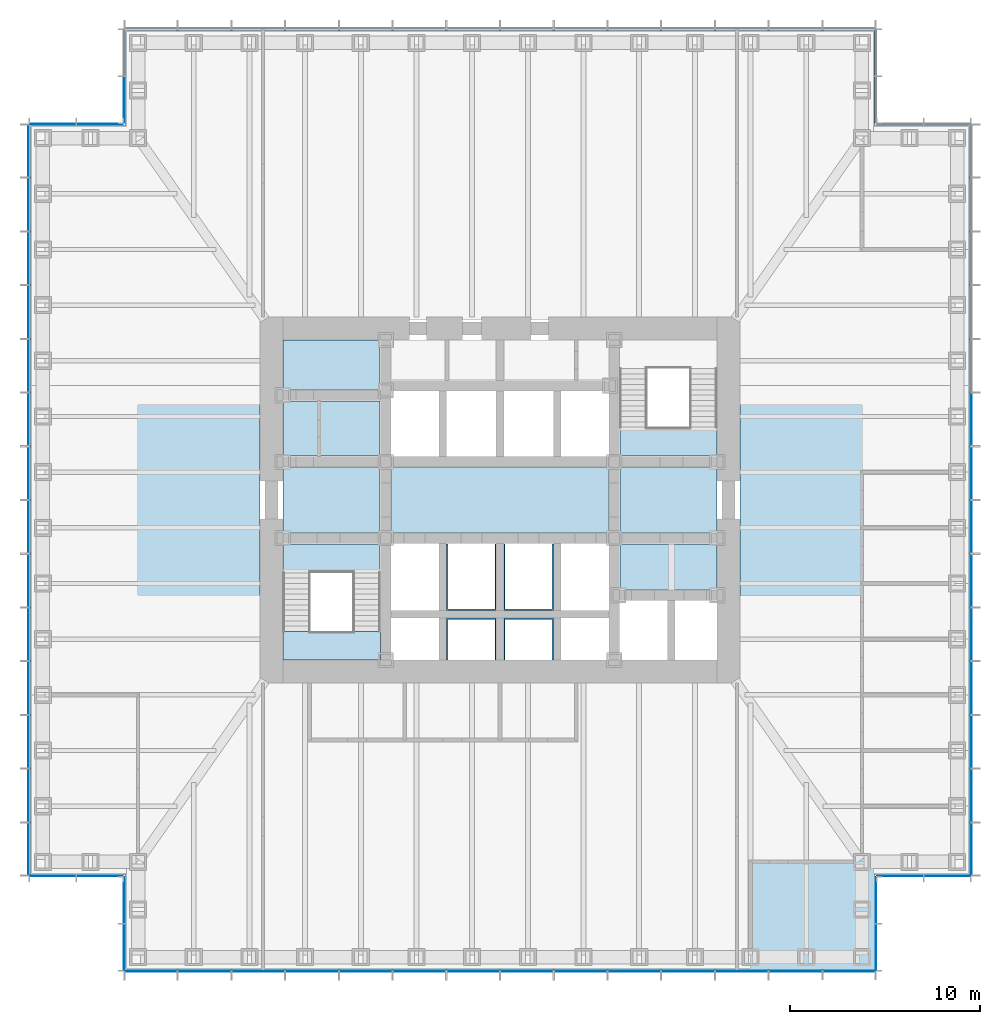
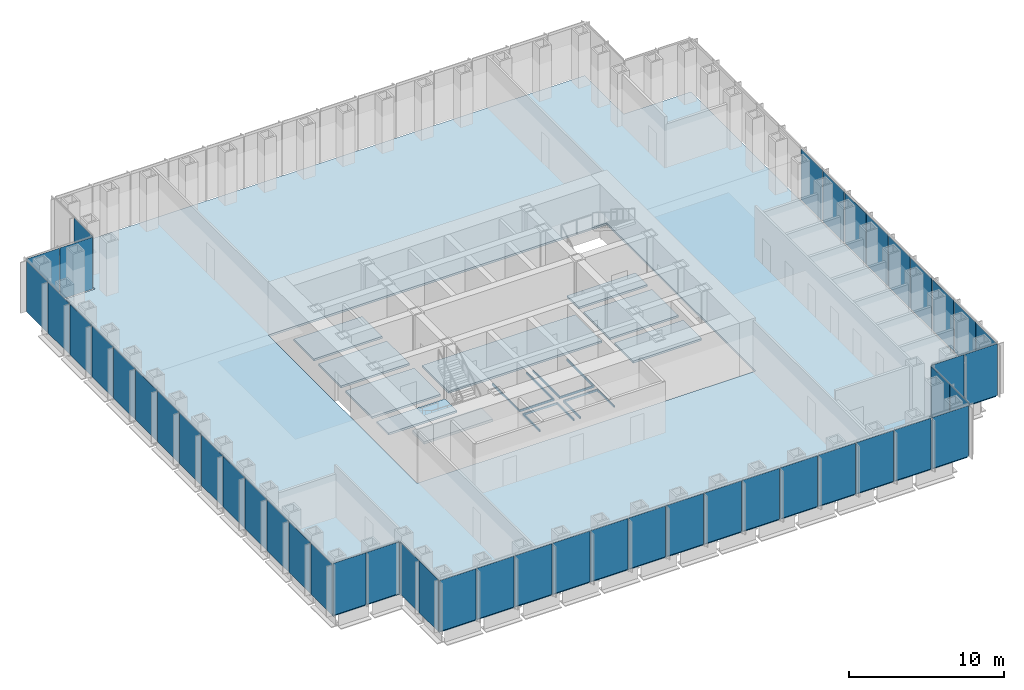
# One storey, part 7 of 16: 48 plates, 14 slabs, 10 elements without a shape of their own.
"""IFC4 building model written with IfcOpenShell, lengths in metres."""

from ifc_helpers import new_model, si_unit, direction, frame, origin, origin_2d, place, context, subcontext, project, spatial, polyline, rectangle, outline, extrude, material, layer, layer_set, type_object, element, aggregate, save


model = new_model("IFC4")

# Units and contexts
model_context = context("Model", 3, precision=1e-05, world=origin(), true_north=direction((0.0, 1.0)))
body_context = subcontext(model_context, "Body", "Model", "MODEL_VIEW")
ifc_project = project(units=[si_unit("LENGTHUNIT", "METRE"), si_unit("AREAUNIT", "SQUARE_METRE"), si_unit("VOLUMEUNIT", "CUBIC_METRE"), si_unit("PLANEANGLEUNIT", "RADIAN"), si_unit("MASSUNIT", "GRAM", prefix="KILO")], contexts=[model_context])

# Site, building, storey
site_placement = place(None, origin())
site = spatial("IfcSite", under=ifc_project, at=site_placement, CompositionType="ELEMENT")
building_placement = place(site_placement, origin())
building = spatial("IfcBuilding", under=site, at=building_placement, Name="Daluyong Arena Tower", CompositionType="ELEMENT")
storey_placement = place(building_placement, frame((0.0, 0.0, 76.89990234375)))
storey = spatial("IfcBuildingStorey", under=building, at=storey_placement, Name="L16", CompositionType="ELEMENT", Elevation=76.89990234375)

# Curtain wall, plates
ifc_material_1 = material(Name="Bronze anodised aluminium and glass", Category="aluminium")
curtain_wall_type_1 = type_object("IfcCurtainWallType", Name="Curtain wall CW1", PredefinedType="USERDEFINED", material=ifc_material_1)
curtain_wall_1_placement = place(storey_placement, origin())
curtain_wall_1 = element("IfcCurtainWall", 1, at=curtain_wall_1_placement, inside=storey, type_object=curtain_wall_type_1, Name="curtain wall L16 S", ObjectType="UNITISED CURTAIN WALL", PredefinedType="USERDEFINED")
ifc_material_2 = material(Name="Tinted double glazed unit", Category="glass")
ifc_layer_1 = layer(ifc_material_2, 0.031982421875)
ifc_layer_set_1 = layer_set([ifc_layer_1], Name="Tinted double glazed unit")
plate_type_1 = type_object("IfcPlateType", Name="CW1 panel 32", PredefinedType="CURTAIN_PANEL", material=ifc_layer_set_1)
plate_1_placement = place(storey_placement, frame((37.6806640625, 55.25, 0.0), z_axis=(0.0, 0.0, 1.0), x_axis=(1.0, 0.0, 0.0)))
plate_1 = element("IfcPlate", 2, at=plate_1_placement, type_object=plate_type_1, Name="curtain wall L16 S panel 1", PredefinedType="CURTAIN_PANEL", context=body_context, shape_type="SweptSolid", body=[
    extrude(rectangle(XDim=2.701416015625, YDim=0.031982421875, at=origin_2d()), origin(), (0.0, 0.0, 1.0), 4.0),
])
plate_2_placement = place(storey_placement, frame((40.482177734375, 55.25, 0.0), z_axis=(0.0, 0.0, 1.0), x_axis=(1.0, 0.0, 0.0)))
plate_2 = element("IfcPlate", 3, at=plate_2_placement, type_object=plate_type_1, Name="curtain wall L16 S panel 2", PredefinedType="CURTAIN_PANEL", context=body_context, shape_type="SweptSolid", body=[
    extrude(rectangle(XDim=2.741455078125, YDim=0.031982421875, at=origin_2d()), origin(), (0.0, 0.0, 1.0), 4.0),
])
plate_3_placement = place(storey_placement, frame((43.303466796875, 55.25, 0.0), z_axis=(0.0, 0.0, 1.0), x_axis=(1.0, 0.0, 0.0)))
plate_3 = element("IfcPlate", 4, at=plate_3_placement, type_object=plate_type_1, Name="curtain wall L16 S panel 3", PredefinedType="CURTAIN_PANEL", context=body_context, shape_type="SweptSolid", body=[
    extrude(rectangle(XDim=2.741455078125, YDim=0.031982421875, at=origin_2d()), origin(), (0.0, 0.0, 1.0), 4.0),
])
plate_4_placement = place(storey_placement, frame((46.125, 55.25, 0.0), z_axis=(0.0, 0.0, 1.0), x_axis=(1.0, 0.0, 0.0)))
plate_4 = element("IfcPlate", 5, at=plate_4_placement, type_object=plate_type_1, Name="curtain wall L16 S panel 4", PredefinedType="CURTAIN_PANEL", context=body_context, shape_type="SweptSolid", body=[
    extrude(rectangle(XDim=2.741455078125, YDim=0.031982421875, at=origin_2d()), origin(), (0.0, 0.0, 1.0), 4.0),
])
plate_5_placement = place(storey_placement, frame((48.946533203125, 55.25, 0.0), z_axis=(0.0, 0.0, 1.0), x_axis=(1.0, 0.0, 0.0)))
plate_5 = element("IfcPlate", 6, at=plate_5_placement, type_object=plate_type_1, Name="curtain wall L16 S panel 5", PredefinedType="CURTAIN_PANEL", context=body_context, shape_type="SweptSolid", body=[
    extrude(rectangle(XDim=2.741455078125, YDim=0.031982421875, at=origin_2d()), origin(), (0.0, 0.0, 1.0), 4.0),
])
plate_6_placement = place(storey_placement, frame((51.767822265625, 55.25, 0.0), z_axis=(0.0, 0.0, 1.0), x_axis=(1.0, 0.0, 0.0)))
plate_6 = element("IfcPlate", 7, at=plate_6_placement, type_object=plate_type_1, Name="curtain wall L16 S panel 6", PredefinedType="CURTAIN_PANEL", context=body_context, shape_type="SweptSolid", body=[
    extrude(rectangle(XDim=2.741455078125, YDim=0.031982421875, at=origin_2d()), origin(), (0.0, 0.0, 1.0), 4.0),
])
plate_7_placement = place(storey_placement, frame((54.58935546875, 55.25, 0.0), z_axis=(0.0, 0.0, 1.0), x_axis=(1.0, 0.0, 0.0)))
plate_7 = element("IfcPlate", 8, at=plate_7_placement, type_object=plate_type_1, Name="curtain wall L16 S panel 7", PredefinedType="CURTAIN_PANEL", context=body_context, shape_type="SweptSolid", body=[
    extrude(rectangle(XDim=2.741455078125, YDim=0.031982421875, at=origin_2d()), origin(), (0.0, 0.0, 1.0), 4.0),
])
plate_8_placement = place(storey_placement, frame((57.41064453125, 55.25, 0.0), z_axis=(0.0, 0.0, 1.0), x_axis=(1.0, 0.0, 0.0)))
plate_8 = element("IfcPlate", 9, at=plate_8_placement, type_object=plate_type_1, Name="curtain wall L16 S panel 8", PredefinedType="CURTAIN_PANEL", context=body_context, shape_type="SweptSolid", body=[
    extrude(rectangle(XDim=2.741455078125, YDim=0.031982421875, at=origin_2d()), origin(), (0.0, 0.0, 1.0), 4.0),
])
plate_9_placement = place(storey_placement, frame((60.232177734375, 55.25, 0.0), z_axis=(0.0, 0.0, 1.0), x_axis=(1.0, 0.0, 0.0)))
plate_9 = element("IfcPlate", 10, at=plate_9_placement, type_object=plate_type_1, Name="curtain wall L16 S panel 9", PredefinedType="CURTAIN_PANEL", context=body_context, shape_type="SweptSolid", body=[
    extrude(rectangle(XDim=2.741455078125, YDim=0.031982421875, at=origin_2d()), origin(), (0.0, 0.0, 1.0), 4.0),
])
plate_10_placement = place(storey_placement, frame((63.053466796875, 55.25, 0.0), z_axis=(0.0, 0.0, 1.0), x_axis=(1.0, 0.0, 0.0)))
plate_10 = element("IfcPlate", 11, at=plate_10_placement, type_object=plate_type_1, Name="curtain wall L16 S panel 10", PredefinedType="CURTAIN_PANEL", context=body_context, shape_type="SweptSolid", body=[
    extrude(rectangle(XDim=2.741455078125, YDim=0.031982421875, at=origin_2d()), origin(), (0.0, 0.0, 1.0), 4.0),
])
plate_11_placement = place(storey_placement, frame((65.875, 55.25, 0.0), z_axis=(0.0, 0.0, 1.0), x_axis=(1.0, 0.0, 0.0)))
plate_11 = element("IfcPlate", 12, at=plate_11_placement, type_object=plate_type_1, Name="curtain wall L16 S panel 11", PredefinedType="CURTAIN_PANEL", context=body_context, shape_type="SweptSolid", body=[
    extrude(rectangle(XDim=2.741455078125, YDim=0.031982421875, at=origin_2d()), origin(), (0.0, 0.0, 1.0), 4.0),
])
plate_12_placement = place(storey_placement, frame((68.696533203125, 55.25, 0.0), z_axis=(0.0, 0.0, 1.0), x_axis=(1.0, 0.0, 0.0)))
plate_12 = element("IfcPlate", 13, at=plate_12_placement, type_object=plate_type_1, Name="curtain wall L16 S panel 12", PredefinedType="CURTAIN_PANEL", context=body_context, shape_type="SweptSolid", body=[
    extrude(rectangle(XDim=2.741455078125, YDim=0.031982421875, at=origin_2d()), origin(), (0.0, 0.0, 1.0), 4.0),
])
plate_13_placement = place(storey_placement, frame((71.517822265625, 55.25, 0.0), z_axis=(0.0, 0.0, 1.0), x_axis=(1.0, 0.0, 0.0)))
plate_13 = element("IfcPlate", 14, at=plate_13_placement, type_object=plate_type_1, Name="curtain wall L16 S panel 13", PredefinedType="CURTAIN_PANEL", context=body_context, shape_type="SweptSolid", body=[
    extrude(rectangle(XDim=2.741455078125, YDim=0.031982421875, at=origin_2d()), origin(), (0.0, 0.0, 1.0), 4.0),
])
plate_14_placement = place(storey_placement, frame((74.3193359375, 55.25, 0.0), z_axis=(0.0, 0.0, 1.0), x_axis=(1.0, 0.0, 0.0)))
plate_14 = element("IfcPlate", 15, at=plate_14_placement, type_object=plate_type_1, Name="curtain wall L16 S panel 14", PredefinedType="CURTAIN_PANEL", context=body_context, shape_type="SweptSolid", body=[
    extrude(rectangle(XDim=2.701416015625, YDim=0.031982421875, at=origin_2d()), origin(), (0.0, 0.0, 1.0), 4.0),
])
aggregate(curtain_wall_1, [plate_1, plate_2, plate_3, plate_4, plate_5, plate_6, plate_7, plate_8, plate_9, plate_10, plate_11, plate_12, plate_13, plate_14])

curtain_wall_2_placement = place(storey_placement, origin())
curtain_wall_2 = element("IfcCurtainWall", 16, at=curtain_wall_2_placement, inside=storey, type_object=curtain_wall_type_1, Name="curtain wall L16 E", ObjectType="UNITISED CURTAIN WALL", PredefinedType="USERDEFINED")
plate_15_placement = place(storey_placement, frame((80.75, 61.6806640625, 0.0), z_axis=(0.0, 0.0, 1.0), x_axis=(0.0, 1.0, 0.0)))
plate_15 = element("IfcPlate", 17, at=plate_15_placement, type_object=plate_type_1, Name="curtain wall L16 E panel 1", PredefinedType="CURTAIN_PANEL", context=body_context, shape_type="SweptSolid", body=[
    extrude(rectangle(XDim=2.701416015625, YDim=0.031982421875, at=origin_2d()), origin(), (0.0, 0.0, 1.0), 4.0),
])
plate_16_placement = place(storey_placement, frame((80.75, 64.482177734375, 0.0), z_axis=(0.0, 0.0, 1.0), x_axis=(0.0, 1.0, 0.0)))
plate_16 = element("IfcPlate", 18, at=plate_16_placement, type_object=plate_type_1, Name="curtain wall L16 E panel 2", PredefinedType="CURTAIN_PANEL", context=body_context, shape_type="SweptSolid", body=[
    extrude(rectangle(XDim=2.741455078125, YDim=0.031982421875, at=origin_2d()), origin(), (0.0, 0.0, 1.0), 4.0),
])
plate_17_placement = place(storey_placement, frame((80.75, 67.303466796875, 0.0), z_axis=(0.0, 0.0, 1.0), x_axis=(0.0, 1.0, 0.0)))
plate_17 = element("IfcPlate", 19, at=plate_17_placement, type_object=plate_type_1, Name="curtain wall L16 E panel 3", PredefinedType="CURTAIN_PANEL", context=body_context, shape_type="SweptSolid", body=[
    extrude(rectangle(XDim=2.741455078125, YDim=0.031982421875, at=origin_2d()), origin(), (0.0, 0.0, 1.0), 4.0),
])
plate_18_placement = place(storey_placement, frame((80.75, 70.125, 0.0), z_axis=(0.0, 0.0, 1.0), x_axis=(0.0, 1.0, 0.0)))
plate_18 = element("IfcPlate", 20, at=plate_18_placement, type_object=plate_type_1, Name="curtain wall L16 E panel 4", PredefinedType="CURTAIN_PANEL", context=body_context, shape_type="SweptSolid", body=[
    extrude(rectangle(XDim=2.741455078125, YDim=0.031982421875, at=origin_2d()), origin(), (0.0, 0.0, 1.0), 4.0),
])
plate_19_placement = place(storey_placement, frame((80.75, 72.946533203125, 0.0), z_axis=(0.0, 0.0, 1.0), x_axis=(0.0, 1.0, 0.0)))
plate_19 = element("IfcPlate", 21, at=plate_19_placement, type_object=plate_type_1, Name="curtain wall L16 E panel 5", PredefinedType="CURTAIN_PANEL", context=body_context, shape_type="SweptSolid", body=[
    extrude(rectangle(XDim=2.741455078125, YDim=0.031982421875, at=origin_2d()), origin(), (0.0, 0.0, 1.0), 4.0),
])
plate_20_placement = place(storey_placement, frame((80.75, 75.767822265625, 0.0), z_axis=(0.0, 0.0, 1.0), x_axis=(0.0, 1.0, 0.0)))
plate_20 = element("IfcPlate", 22, at=plate_20_placement, type_object=plate_type_1, Name="curtain wall L16 E panel 6", PredefinedType="CURTAIN_PANEL", context=body_context, shape_type="SweptSolid", body=[
    extrude(rectangle(XDim=2.741455078125, YDim=0.031982421875, at=origin_2d()), origin(), (0.0, 0.0, 1.0), 4.0),
])
plate_21_placement = place(storey_placement, frame((80.75, 78.58935546875, 0.0), z_axis=(0.0, 0.0, 1.0), x_axis=(0.0, 1.0, 0.0)))
plate_21 = element("IfcPlate", 23, at=plate_21_placement, type_object=plate_type_1, Name="curtain wall L16 E panel 7", PredefinedType="CURTAIN_PANEL", context=body_context, shape_type="SweptSolid", body=[
    extrude(rectangle(XDim=2.741455078125, YDim=0.031982421875, at=origin_2d()), origin(), (0.0, 0.0, 1.0), 4.0),
])
plate_22_placement = place(storey_placement, frame((80.75, 81.41064453125, 0.0), z_axis=(0.0, 0.0, 1.0), x_axis=(0.0, 1.0, 0.0)))
plate_22 = element("IfcPlate", 24, at=plate_22_placement, type_object=plate_type_1, Name="curtain wall L16 E panel 8", PredefinedType="CURTAIN_PANEL", context=body_context, shape_type="SweptSolid", body=[
    extrude(rectangle(XDim=2.741455078125, YDim=0.031982421875, at=origin_2d()), origin(), (0.0, 0.0, 1.0), 4.0),
])
plate_23_placement = place(storey_placement, frame((80.75, 84.232177734375, 0.0), z_axis=(0.0, 0.0, 1.0), x_axis=(0.0, 1.0, 0.0)))
plate_23 = element("IfcPlate", 25, at=plate_23_placement, type_object=plate_type_1, Name="curtain wall L16 E panel 9", PredefinedType="CURTAIN_PANEL", context=body_context, shape_type="SweptSolid", body=[
    extrude(rectangle(XDim=2.741455078125, YDim=0.031982421875, at=origin_2d()), origin(), (0.0, 0.0, 1.0), 4.0),
])
aggregate(curtain_wall_2, [plate_15, plate_16, plate_17, plate_18, plate_19, plate_20, plate_21, plate_22, plate_23])

curtain_wall_3_placement = place(storey_placement, origin())
curtain_wall_3 = element("IfcCurtainWall", 26, at=curtain_wall_3_placement, inside=storey, type_object=curtain_wall_type_1, Name="curtain wall L16 W", ObjectType="UNITISED CURTAIN WALL", PredefinedType="USERDEFINED")
plate_24_placement = place(storey_placement, frame((31.25, 98.3193359375, 0.0), z_axis=(0.0, 0.0, 1.0), x_axis=(0.0, -1.0, 0.0)))
plate_24 = element("IfcPlate", 27, at=plate_24_placement, type_object=plate_type_1, Name="curtain wall L16 W panel 1", PredefinedType="CURTAIN_PANEL", context=body_context, shape_type="SweptSolid", body=[
    extrude(rectangle(XDim=2.701416015625, YDim=0.031982421875, at=origin_2d()), origin(), (0.0, 0.0, 1.0), 4.0),
])
plate_25_placement = place(storey_placement, frame((31.25, 95.517822265625, 0.0), z_axis=(0.0, 0.0, 1.0), x_axis=(0.0, -1.0, 0.0)))
plate_25 = element("IfcPlate", 28, at=plate_25_placement, type_object=plate_type_1, Name="curtain wall L16 W panel 2", PredefinedType="CURTAIN_PANEL", context=body_context, shape_type="SweptSolid", body=[
    extrude(rectangle(XDim=2.741455078125, YDim=0.031982421875, at=origin_2d()), origin(), (0.0, 0.0, 1.0), 4.0),
])
plate_26_placement = place(storey_placement, frame((31.25, 92.696533203125, 0.0), z_axis=(0.0, 0.0, 1.0), x_axis=(0.0, -1.0, 0.0)))
plate_26 = element("IfcPlate", 29, at=plate_26_placement, type_object=plate_type_1, Name="curtain wall L16 W panel 3", PredefinedType="CURTAIN_PANEL", context=body_context, shape_type="SweptSolid", body=[
    extrude(rectangle(XDim=2.741455078125, YDim=0.031982421875, at=origin_2d()), origin(), (0.0, 0.0, 1.0), 4.0),
])
plate_27_placement = place(storey_placement, frame((31.25, 89.875, 0.0), z_axis=(0.0, 0.0, 1.0), x_axis=(0.0, -1.0, 0.0)))
plate_27 = element("IfcPlate", 30, at=plate_27_placement, type_object=plate_type_1, Name="curtain wall L16 W panel 4", PredefinedType="CURTAIN_PANEL", context=body_context, shape_type="SweptSolid", body=[
    extrude(rectangle(XDim=2.741455078125, YDim=0.031982421875, at=origin_2d()), origin(), (0.0, 0.0, 1.0), 4.0),
])
plate_28_placement = place(storey_placement, frame((31.25, 87.053466796875, 0.0), z_axis=(0.0, 0.0, 1.0), x_axis=(0.0, -1.0, 0.0)))
plate_28 = element("IfcPlate", 31, at=plate_28_placement, type_object=plate_type_1, Name="curtain wall L16 W panel 5", PredefinedType="CURTAIN_PANEL", context=body_context, shape_type="SweptSolid", body=[
    extrude(rectangle(XDim=2.741455078125, YDim=0.031982421875, at=origin_2d()), origin(), (0.0, 0.0, 1.0), 4.0),
])
plate_29_placement = place(storey_placement, frame((31.25, 84.232177734375, 0.0), z_axis=(0.0, 0.0, 1.0), x_axis=(0.0, -1.0, 0.0)))
plate_29 = element("IfcPlate", 32, at=plate_29_placement, type_object=plate_type_1, Name="curtain wall L16 W panel 6", PredefinedType="CURTAIN_PANEL", context=body_context, shape_type="SweptSolid", body=[
    extrude(rectangle(XDim=2.741455078125, YDim=0.031982421875, at=origin_2d()), origin(), (0.0, 0.0, 1.0), 4.0),
])
plate_30_placement = place(storey_placement, frame((31.25, 81.41064453125, 0.0), z_axis=(0.0, 0.0, 1.0), x_axis=(0.0, -1.0, 0.0)))
plate_30 = element("IfcPlate", 33, at=plate_30_placement, type_object=plate_type_1, Name="curtain wall L16 W panel 7", PredefinedType="CURTAIN_PANEL", context=body_context, shape_type="SweptSolid", body=[
    extrude(rectangle(XDim=2.741455078125, YDim=0.031982421875, at=origin_2d()), origin(), (0.0, 0.0, 1.0), 4.0),
])
plate_31_placement = place(storey_placement, frame((31.25, 78.58935546875, 0.0), z_axis=(0.0, 0.0, 1.0), x_axis=(0.0, -1.0, 0.0)))
plate_31 = element("IfcPlate", 34, at=plate_31_placement, type_object=plate_type_1, Name="curtain wall L16 W panel 8", PredefinedType="CURTAIN_PANEL", context=body_context, shape_type="SweptSolid", body=[
    extrude(rectangle(XDim=2.741455078125, YDim=0.031982421875, at=origin_2d()), origin(), (0.0, 0.0, 1.0), 4.0),
])
plate_32_placement = place(storey_placement, frame((31.25, 75.767822265625, 0.0), z_axis=(0.0, 0.0, 1.0), x_axis=(0.0, -1.0, 0.0)))
plate_32 = element("IfcPlate", 35, at=plate_32_placement, type_object=plate_type_1, Name="curtain wall L16 W panel 9", PredefinedType="CURTAIN_PANEL", context=body_context, shape_type="SweptSolid", body=[
    extrude(rectangle(XDim=2.741455078125, YDim=0.031982421875, at=origin_2d()), origin(), (0.0, 0.0, 1.0), 4.0),
])
plate_33_placement = place(storey_placement, frame((31.25, 72.946533203125, 0.0), z_axis=(0.0, 0.0, 1.0), x_axis=(0.0, -1.0, 0.0)))
plate_33 = element("IfcPlate", 36, at=plate_33_placement, type_object=plate_type_1, Name="curtain wall L16 W panel 10", PredefinedType="CURTAIN_PANEL", context=body_context, shape_type="SweptSolid", body=[
    extrude(rectangle(XDim=2.741455078125, YDim=0.031982421875, at=origin_2d()), origin(), (0.0, 0.0, 1.0), 4.0),
])
plate_34_placement = place(storey_placement, frame((31.25, 70.125, 0.0), z_axis=(0.0, 0.0, 1.0), x_axis=(0.0, -1.0, 0.0)))
plate_34 = element("IfcPlate", 37, at=plate_34_placement, type_object=plate_type_1, Name="curtain wall L16 W panel 11", PredefinedType="CURTAIN_PANEL", context=body_context, shape_type="SweptSolid", body=[
    extrude(rectangle(XDim=2.741455078125, YDim=0.031982421875, at=origin_2d()), origin(), (0.0, 0.0, 1.0), 4.0),
])
plate_35_placement = place(storey_placement, frame((31.25, 67.303466796875, 0.0), z_axis=(0.0, 0.0, 1.0), x_axis=(0.0, -1.0, 0.0)))
plate_35 = element("IfcPlate", 38, at=plate_35_placement, type_object=plate_type_1, Name="curtain wall L16 W panel 12", PredefinedType="CURTAIN_PANEL", context=body_context, shape_type="SweptSolid", body=[
    extrude(rectangle(XDim=2.741455078125, YDim=0.031982421875, at=origin_2d()), origin(), (0.0, 0.0, 1.0), 4.0),
])
plate_36_placement = place(storey_placement, frame((31.25, 64.482177734375, 0.0), z_axis=(0.0, 0.0, 1.0), x_axis=(0.0, -1.0, 0.0)))
plate_36 = element("IfcPlate", 39, at=plate_36_placement, type_object=plate_type_1, Name="curtain wall L16 W panel 13", PredefinedType="CURTAIN_PANEL", context=body_context, shape_type="SweptSolid", body=[
    extrude(rectangle(XDim=2.741455078125, YDim=0.031982421875, at=origin_2d()), origin(), (0.0, 0.0, 1.0), 4.0),
])
plate_37_placement = place(storey_placement, frame((31.25, 61.6806640625, 0.0), z_axis=(0.0, 0.0, 1.0), x_axis=(0.0, -1.0, 0.0)))
plate_37 = element("IfcPlate", 40, at=plate_37_placement, type_object=plate_type_1, Name="curtain wall L16 W panel 14", PredefinedType="CURTAIN_PANEL", context=body_context, shape_type="SweptSolid", body=[
    extrude(rectangle(XDim=2.701416015625, YDim=0.031982421875, at=origin_2d()), origin(), (0.0, 0.0, 1.0), 4.0),
])
aggregate(curtain_wall_3, [plate_24, plate_25, plate_26, plate_27, plate_28, plate_29, plate_30, plate_31, plate_32, plate_33, plate_34, plate_35, plate_36, plate_37])

ifc_material_3 = material(Name="Bronze anodised aluminium and glass", Category="aluminium")
curtain_wall_type_2 = type_object("IfcCurtainWallType", Name="Curtain wall CW7", PredefinedType="USERDEFINED", material=ifc_material_3)
curtain_wall_4_placement = place(storey_placement, origin())
curtain_wall_4 = element("IfcCurtainWall", 41, at=curtain_wall_4_placement, inside=storey, type_object=curtain_wall_type_2, Name="curtain wall L16 SE-E", ObjectType="UNITISED CURTAIN WALL", PredefinedType="USERDEFINED")
ifc_material_4 = material(Name="Tinted double glazed unit", Category="glass")
ifc_layer_2 = layer(ifc_material_4, 0.028076171875)
ifc_layer_set_2 = layer_set([ifc_layer_2], Name="Tinted double glazed unit")
plate_type_2 = type_object("IfcPlateType", Name="CW7 panel 28", PredefinedType="CURTAIN_PANEL", material=ifc_layer_set_2)
plate_38_placement = place(storey_placement, frame((75.75, 56.514892578125, 0.0), z_axis=(0.0, 0.0, 1.0), x_axis=(0.0, 1.0, 0.0)))
plate_38 = element("IfcPlate", 42, at=plate_38_placement, type_object=plate_type_2, Name="curtain wall L16 SE-E panel 1", PredefinedType="CURTAIN_PANEL", context=body_context, shape_type="SweptSolid", body=[
    extrude(rectangle(XDim=2.409912109375, YDim=0.028076171875, at=origin_2d()), origin(), (0.0, 0.0, 1.0), 4.080078125),
])
plate_39_placement = place(storey_placement, frame((75.75, 58.985107421875, 0.0), z_axis=(0.0, 0.0, 1.0), x_axis=(0.0, 1.0, 0.0)))
plate_39 = element("IfcPlate", 43, at=plate_39_placement, type_object=plate_type_2, Name="curtain wall L16 SE-E panel 2", PredefinedType="CURTAIN_PANEL", context=body_context, shape_type="SweptSolid", body=[
    extrude(rectangle(XDim=2.409912109375, YDim=0.028076171875, at=origin_2d()), origin(), (0.0, 0.0, 1.0), 4.080078125),
])
aggregate(curtain_wall_4, [plate_38, plate_39])

curtain_wall_5_placement = place(storey_placement, origin())
curtain_wall_5 = element("IfcCurtainWall", 44, at=curtain_wall_5_placement, inside=storey, type_object=curtain_wall_type_2, Name="curtain wall L16 SE-S", ObjectType="UNITISED CURTAIN WALL", PredefinedType="USERDEFINED")
plate_40_placement = place(storey_placement, frame((77.014892578125, 60.25, 0.0), z_axis=(0.0, 0.0, 1.0), x_axis=(1.0, 0.0, 0.0)))
plate_40 = element("IfcPlate", 45, at=plate_40_placement, type_object=plate_type_2, Name="curtain wall L16 SE-S panel 1", PredefinedType="CURTAIN_PANEL", context=body_context, shape_type="SweptSolid", body=[
    extrude(rectangle(XDim=2.409912109375, YDim=0.028076171875, at=origin_2d()), origin(), (0.0, 0.0, 1.0), 4.080078125),
])
plate_41_placement = place(storey_placement, frame((79.485107421875, 60.25, 0.0), z_axis=(0.0, 0.0, 1.0), x_axis=(1.0, 0.0, 0.0)))
plate_41 = element("IfcPlate", 46, at=plate_41_placement, type_object=plate_type_2, Name="curtain wall L16 SE-S panel 2", PredefinedType="CURTAIN_PANEL", context=body_context, shape_type="SweptSolid", body=[
    extrude(rectangle(XDim=2.409912109375, YDim=0.028076171875, at=origin_2d()), origin(), (0.0, 0.0, 1.0), 4.080078125),
])
aggregate(curtain_wall_5, [plate_40, plate_41])

# Curtain wall, plate
curtain_wall_6_placement = place(storey_placement, origin())
curtain_wall_6 = element("IfcCurtainWall", 47, at=curtain_wall_6_placement, inside=storey, type_object=curtain_wall_type_2, Name="curtain wall L16 NW-W", ObjectType="UNITISED CURTAIN WALL", PredefinedType="USERDEFINED")
plate_42_placement = place(storey_placement, frame((36.25, 101.014892578125, 0.0), z_axis=(0.0, 0.0, 1.0), x_axis=(0.0, -1.0, 0.0)))
plate_42 = element("IfcPlate", 48, at=plate_42_placement, type_object=plate_type_2, Name="curtain wall L16 NW-W panel 2", PredefinedType="CURTAIN_PANEL", context=body_context, shape_type="SweptSolid", body=[
    extrude(rectangle(XDim=2.409912109375, YDim=0.028076171875, at=origin_2d()), origin(), (0.0, 0.0, 1.0), 4.080078125),
])
aggregate(curtain_wall_6, [plate_42])

# Curtain wall, plates
curtain_wall_7_placement = place(storey_placement, origin())
curtain_wall_7 = element("IfcCurtainWall", 49, at=curtain_wall_7_placement, inside=storey, type_object=curtain_wall_type_2, Name="curtain wall L16 NW-N", ObjectType="UNITISED CURTAIN WALL", PredefinedType="USERDEFINED")
plate_43_placement = place(storey_placement, frame((34.985107421875, 99.75, 0.0), z_axis=(0.0, 0.0, 1.0), x_axis=(-1.0, 0.0, 0.0)))
plate_43 = element("IfcPlate", 50, at=plate_43_placement, type_object=plate_type_2, Name="curtain wall L16 NW-N panel 1", PredefinedType="CURTAIN_PANEL", context=body_context, shape_type="SweptSolid", body=[
    extrude(rectangle(XDim=2.409912109375, YDim=0.028076171875, at=origin_2d()), origin(), (0.0, 0.0, 1.0), 4.080078125),
])
plate_44_placement = place(storey_placement, frame((32.514892578125, 99.75, 0.0), z_axis=(0.0, 0.0, 1.0), x_axis=(-1.0, 0.0, 0.0)))
plate_44 = element("IfcPlate", 51, at=plate_44_placement, type_object=plate_type_2, Name="curtain wall L16 NW-N panel 2", PredefinedType="CURTAIN_PANEL", context=body_context, shape_type="SweptSolid", body=[
    extrude(rectangle(XDim=2.409912109375, YDim=0.028076171875, at=origin_2d()), origin(), (0.0, 0.0, 1.0), 4.080078125),
])
aggregate(curtain_wall_7, [plate_43, plate_44])

curtain_wall_8_placement = place(storey_placement, origin())
curtain_wall_8 = element("IfcCurtainWall", 52, at=curtain_wall_8_placement, inside=storey, type_object=curtain_wall_type_2, Name="curtain wall L16 SW-S", ObjectType="UNITISED CURTAIN WALL", PredefinedType="USERDEFINED")
plate_45_placement = place(storey_placement, frame((32.514892578125, 60.25, 0.0), z_axis=(0.0, 0.0, 1.0), x_axis=(1.0, 0.0, 0.0)))
plate_45 = element("IfcPlate", 53, at=plate_45_placement, type_object=plate_type_2, Name="curtain wall L16 SW-S panel 1", PredefinedType="CURTAIN_PANEL", context=body_context, shape_type="SweptSolid", body=[
    extrude(rectangle(XDim=2.409912109375, YDim=0.028076171875, at=origin_2d()), origin(), (0.0, 0.0, 1.0), 4.080078125),
])
plate_46_placement = place(storey_placement, frame((34.985107421875, 60.25, 0.0), z_axis=(0.0, 0.0, 1.0), x_axis=(1.0, 0.0, 0.0)))
plate_46 = element("IfcPlate", 54, at=plate_46_placement, type_object=plate_type_2, Name="curtain wall L16 SW-S panel 2", PredefinedType="CURTAIN_PANEL", context=body_context, shape_type="SweptSolid", body=[
    extrude(rectangle(XDim=2.409912109375, YDim=0.028076171875, at=origin_2d()), origin(), (0.0, 0.0, 1.0), 4.080078125),
])
aggregate(curtain_wall_8, [plate_45, plate_46])

curtain_wall_9_placement = place(storey_placement, origin())
curtain_wall_9 = element("IfcCurtainWall", 55, at=curtain_wall_9_placement, inside=storey, type_object=curtain_wall_type_2, Name="curtain wall L16 SW-W", ObjectType="UNITISED CURTAIN WALL", PredefinedType="USERDEFINED")
plate_47_placement = place(storey_placement, frame((36.25, 58.985107421875, 0.0), z_axis=(0.0, 0.0, 1.0), x_axis=(0.0, -1.0, 0.0)))
plate_47 = element("IfcPlate", 56, at=plate_47_placement, type_object=plate_type_2, Name="curtain wall L16 SW-W panel 1", PredefinedType="CURTAIN_PANEL", context=body_context, shape_type="SweptSolid", body=[
    extrude(rectangle(XDim=2.409912109375, YDim=0.028076171875, at=origin_2d()), origin(), (0.0, 0.0, 1.0), 4.080078125),
])
plate_48_placement = place(storey_placement, frame((36.25, 56.514892578125, 0.0), z_axis=(0.0, 0.0, 1.0), x_axis=(0.0, -1.0, 0.0)))
plate_48 = element("IfcPlate", 57, at=plate_48_placement, type_object=plate_type_2, Name="curtain wall L16 SW-W panel 2", PredefinedType="CURTAIN_PANEL", context=body_context, shape_type="SweptSolid", body=[
    extrude(rectangle(XDim=2.409912109375, YDim=0.028076171875, at=origin_2d()), origin(), (0.0, 0.0, 1.0), 4.080078125),
])
aggregate(curtain_wall_9, [plate_47, plate_48])

# Stair, slab
ifc_material_5 = material(Name="Concrete fc' 35 MPa", Category="concrete")
stair_type = type_object("IfcStairType", Name="Core exit stair", PredefinedType="HALF_TURN_STAIR", material=ifc_material_5)
stair_placement = place(storey_placement, origin())
stair = element("IfcStair", 58, at=stair_placement, inside=storey, type_object=stair_type, Name="exit stair A L16", PredefinedType="HALF_TURN_STAIR")
ifc_material_6 = material(Name="Concrete fc' 35 MPa", Category="concrete")
ifc_layer_3 = layer(ifc_material_6, 0.199951171875)
ifc_layer_set_3 = layer_set([ifc_layer_3], Name="Concrete fc' 35 MPa")
slab_type_1 = type_object("IfcSlabType", Name="Stair landing 200", PredefinedType="LANDING", material=ifc_layer_set_3)
slab_1_placement = place(storey_placement, frame((0.0, 0.0, 1.900146484375)))
slab_1 = element("IfcSlab", 59, at=slab_1_placement, type_object=slab_type_1, Name="STA landing 1", PredefinedType="LANDING", context=body_context, shape_type="SweptSolid", body=[
    extrude(outline(polyline([(44.60009765625, 71.60009765625), (49.72509765625, 71.60009765625), (49.72509765625, 73.094970703125), (44.60009765625, 73.094970703125), (44.60009765625, 71.60009765625)])), origin(), (0.0, 0.0, 1.0), 0.199951171875),
])
aggregate(stair, [slab_1])

# Slabs
ifc_material_7 = material(Name="Concrete fc' 35 MPa", Category="concrete")
ifc_layer_4 = layer(ifc_material_7, 0.159912109375)
ifc_layer_set_4 = layer_set([ifc_layer_4], Name="Concrete fc' 35 MPa")
slab_type_2 = type_object("IfcSlabType", Name="Tower floor slab 160", PredefinedType="FLOOR", material=ifc_layer_set_4)
slab_2_placement = place(storey_placement, frame((0.0, 0.0, -0.159912109375)))
element("IfcSlab", 60, at=slab_2_placement, inside=storey, type_object=slab_type_2, Name="floor L16 part 1", PredefinedType="FLOOR", context=body_context, shape_type="SweptSolid", body=[
    extrude(outline(polyline([(49.699951171875, 76.175048828125), (49.699951171875, 77.699951171875), (44.60009765625, 77.699951171875), (44.60009765625, 76.175048828125), (49.699951171875, 76.175048828125)])), origin(), (0.0, 0.0, 1.0), 0.159912109375),
])
slab_3_placement = place(storey_placement, frame((0.0, 0.0, -0.159912109375)))
element("IfcSlab", 61, at=slab_3_placement, inside=storey, type_object=slab_type_2, Name="floor L16 part 2", PredefinedType="FLOOR", context=body_context, shape_type="SweptSolid", body=[
    extrude(outline(polyline([(49.699951171875, 78.300048828125), (49.699951171875, 81.699951171875), (44.60009765625, 81.699951171875), (44.60009765625, 78.300048828125), (49.699951171875, 78.300048828125)])), origin(), (0.0, 0.0, 1.0), 0.159912109375),
])
slab_4_placement = place(storey_placement, frame((0.0, 0.0, -0.159912109375)))
element("IfcSlab", 62, at=slab_4_placement, inside=storey, type_object=slab_type_2, Name="floor L16 part 3", PredefinedType="FLOOR", context=body_context, shape_type="SweptSolid", body=[
    extrude(outline(polyline([(49.699951171875, 82.300048828125), (49.699951171875, 85.199951171875), (44.60009765625, 85.199951171875), (44.60009765625, 82.300048828125), (49.699951171875, 82.300048828125)])), origin(), (0.0, 0.0, 1.0), 0.159912109375),
])
slab_5_placement = place(storey_placement, frame((0.0, 0.0, -0.159912109375)))
element("IfcSlab", 63, at=slab_5_placement, inside=storey, type_object=slab_type_2, Name="floor L16 part 4", PredefinedType="FLOOR", context=body_context, shape_type="SweptSolid", body=[
    extrude(outline(polyline([(44.60009765625, 88.39990234375), (44.60009765625, 85.800048828125), (49.699951171875, 85.800048828125), (49.699951171875, 88.39990234375), (44.60009765625, 88.39990234375)])), origin(), (0.0, 0.0, 1.0), 0.159912109375),
])
slab_6_placement = place(storey_placement, frame((0.0, 0.0, -0.159912109375)))
element("IfcSlab", 64, at=slab_6_placement, inside=storey, type_object=slab_type_2, Name="floor L16 part 6", PredefinedType="FLOOR", context=body_context, shape_type="SweptSolid", body=[
    extrude(outline(polyline([(55.72509765625, 73.72509765625), (55.72509765625, 71.60009765625), (55.800048828125, 71.60009765625), (55.800048828125, 73.800048828125), (53.199951171875, 73.800048828125), (53.199951171875, 71.60009765625), (53.27490234375, 71.60009765625), (53.27490234375, 73.72509765625), (55.72509765625, 73.72509765625)])), origin(), (0.0, 0.0, 1.0), 0.159912109375),
])
slab_7_placement = place(storey_placement, frame((0.0, 0.0, -0.159912109375)))
element("IfcSlab", 65, at=slab_7_placement, inside=storey, type_object=slab_type_2, Name="floor L16 part 7", PredefinedType="FLOOR", context=body_context, shape_type="SweptSolid", body=[
    extrude(outline(polyline([(53.199951171875, 77.699951171875), (53.199951171875, 74.199951171875), (55.800048828125, 74.199951171875), (55.800048828125, 77.699951171875), (55.72509765625, 77.699951171875), (55.72509765625, 74.27490234375), (53.27490234375, 74.27490234375), (53.27490234375, 77.699951171875), (53.199951171875, 77.699951171875)])), origin(), (0.0, 0.0, 1.0), 0.159912109375),
])
slab_8_placement = place(storey_placement, frame((0.0, 0.0, -0.159912109375)))
element("IfcSlab", 66, at=slab_8_placement, inside=storey, type_object=slab_type_2, Name="floor L16 part 8", PredefinedType="FLOOR", context=body_context, shape_type="SweptSolid", body=[
    extrude(outline(polyline([(36.35009765625, 60.35009765625), (36.35009765625, 55.35009765625), (75.64990234375, 55.35009765625), (75.64990234375, 60.35009765625), (80.64990234375, 60.35009765625), (80.64990234375, 99.64990234375), (75.64990234375, 99.64990234375), (75.64990234375, 104.64990234375), (36.35009765625, 104.64990234375), (36.35009765625, 99.64990234375), (31.35009765625, 99.64990234375), (31.35009765625, 60.35009765625), (36.35009765625, 60.35009765625)]), holes=[polyline([(68.60009765625, 89.60009765625), (68.60009765625, 70.39990234375), (43.39990234375, 70.39990234375), (43.39990234375, 89.60009765625), (68.60009765625, 89.60009765625)])]), origin(), (0.0, 0.0, 1.0), 0.159912109375),
])
slab_9_placement = place(storey_placement, frame((0.0, 0.0, -0.159912109375)))
element("IfcSlab", 67, at=slab_9_placement, inside=storey, type_object=slab_type_2, Name="floor L16 part 9", PredefinedType="FLOOR", context=body_context, shape_type="SweptSolid", body=[
    extrude(outline(polyline([(61.699951171875, 81.699951171875), (50.300048828125, 81.699951171875), (50.300048828125, 78.300048828125), (61.699951171875, 78.300048828125), (61.699951171875, 81.699951171875)])), origin(), (0.0, 0.0, 1.0), 0.159912109375),
])
slab_10_placement = place(storey_placement, frame((0.0, 0.0, -0.159912109375)))
element("IfcSlab", 68, at=slab_10_placement, inside=storey, type_object=slab_type_2, Name="floor L16 part 10", PredefinedType="FLOOR", context=body_context, shape_type="SweptSolid", body=[
    extrude(outline(polyline([(58.72509765625, 73.72509765625), (58.72509765625, 71.60009765625), (58.800048828125, 71.60009765625), (58.800048828125, 73.800048828125), (56.199951171875, 73.800048828125), (56.199951171875, 71.60009765625), (56.27490234375, 71.60009765625), (56.27490234375, 73.72509765625), (58.72509765625, 73.72509765625)])), origin(), (0.0, 0.0, 1.0), 0.159912109375),
])
slab_11_placement = place(storey_placement, frame((0.0, 0.0, -0.159912109375)))
element("IfcSlab", 69, at=slab_11_placement, inside=storey, type_object=slab_type_2, Name="floor L16 part 11", PredefinedType="FLOOR", context=body_context, shape_type="SweptSolid", body=[
    extrude(outline(polyline([(56.199951171875, 77.699951171875), (56.199951171875, 74.199951171875), (58.800048828125, 74.199951171875), (58.800048828125, 77.699951171875), (58.72509765625, 77.699951171875), (58.72509765625, 74.27490234375), (56.27490234375, 74.27490234375), (56.27490234375, 77.699951171875), (56.199951171875, 77.699951171875)])), origin(), (0.0, 0.0, 1.0), 0.159912109375),
])
slab_12_placement = place(storey_placement, frame((0.0, 0.0, -0.159912109375)))
element("IfcSlab", 70, at=slab_12_placement, inside=storey, type_object=slab_type_2, Name="floor L16 part 13", PredefinedType="FLOOR", context=body_context, shape_type="SweptSolid", body=[
    extrude(outline(polyline([(67.39990234375, 75.300048828125), (67.39990234375, 77.699951171875), (62.300048828125, 77.699951171875), (62.300048828125, 75.300048828125), (67.39990234375, 75.300048828125)])), origin(), (0.0, 0.0, 1.0), 0.159912109375),
])
slab_13_placement = place(storey_placement, frame((0.0, 0.0, -0.159912109375)))
element("IfcSlab", 71, at=slab_13_placement, inside=storey, type_object=slab_type_2, Name="floor L16 part 14", PredefinedType="FLOOR", context=body_context, shape_type="SweptSolid", body=[
    extrude(outline(polyline([(67.39990234375, 78.300048828125), (67.39990234375, 81.699951171875), (62.300048828125, 81.699951171875), (62.300048828125, 78.300048828125), (67.39990234375, 78.300048828125)])), origin(), (0.0, 0.0, 1.0), 0.159912109375),
])
slab_14_placement = place(storey_placement, frame((0.0, 0.0, -0.159912109375)))
element("IfcSlab", 72, at=slab_14_placement, inside=storey, type_object=slab_type_2, Name="floor L16 part 15", PredefinedType="FLOOR", context=body_context, shape_type="SweptSolid", body=[
    extrude(outline(polyline([(67.39990234375, 82.300048828125), (67.39990234375, 83.824951171875), (62.300048828125, 83.824951171875), (62.300048828125, 82.300048828125), (67.39990234375, 82.300048828125)])), origin(), (0.0, 0.0, 1.0), 0.159912109375),
])

save(model, "model.ifc")
